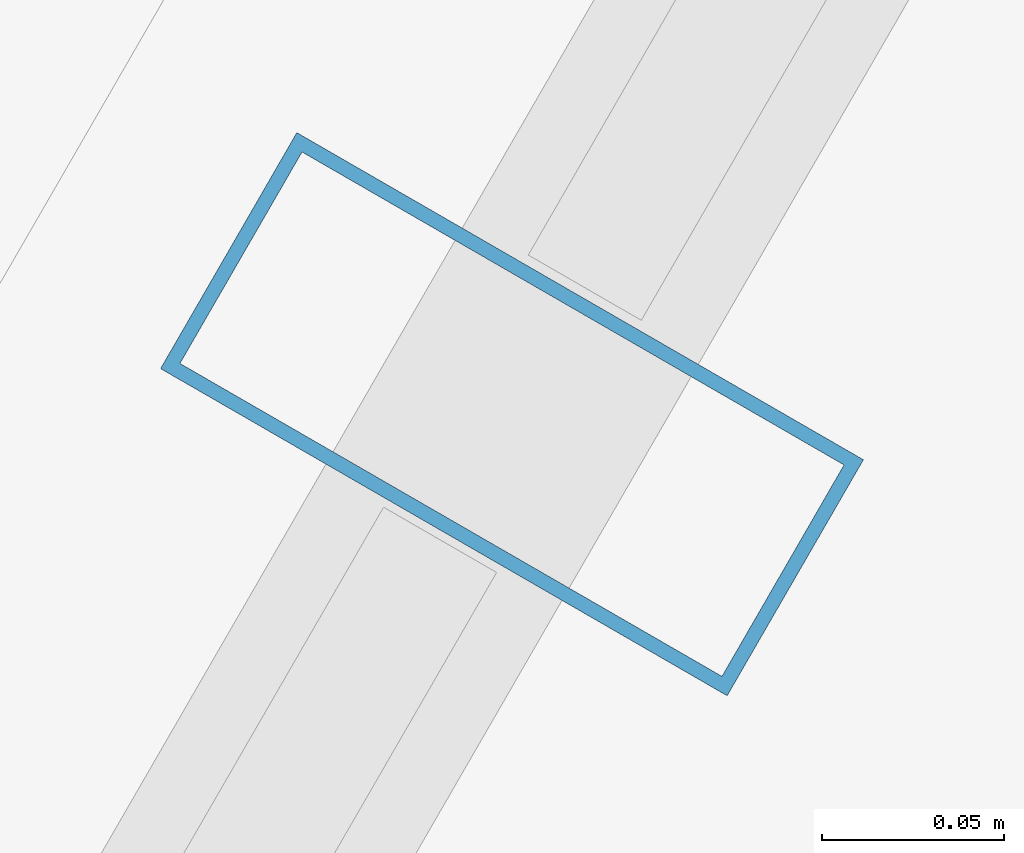
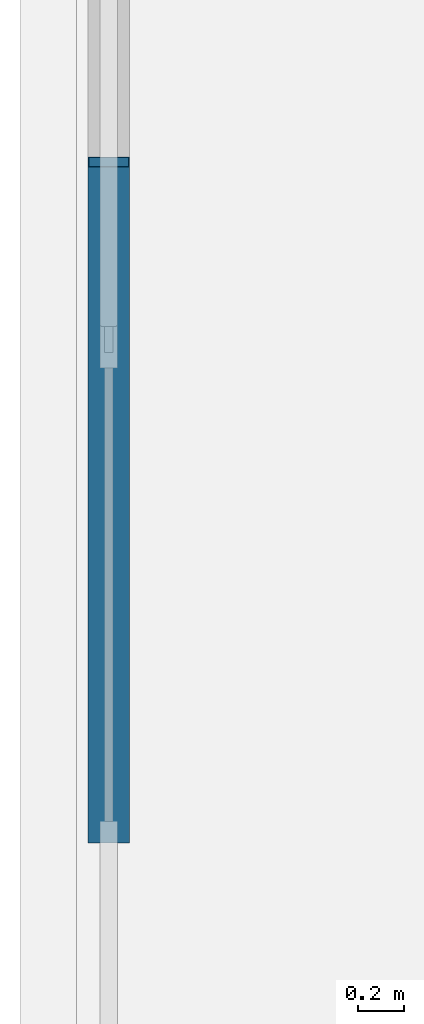
# One storey, part 13 of 33: 1 member, 1 element without a shape of its own.
"""IFC4 building model written with IfcOpenShell, lengths in metres."""

from ifc_helpers import new_model, si_unit, direction, frame, origin, origin_2d, place, context, subcontext, project, spatial, hollow_rectangle, extrude, material, layer, layer_set, material_profile, profile_set, type_object, element, aggregate, save


model = new_model("IFC4")

# Units and contexts
model_context = context("Model", 3, precision=1e-05, world=origin(), true_north=direction((0.0, 1.0)))
body_context = subcontext(model_context, "Body", "Model", "MODEL_VIEW")
ifc_project = project(units=[si_unit("LENGTHUNIT", "METRE"), si_unit("AREAUNIT", "SQUARE_METRE"), si_unit("VOLUMEUNIT", "CUBIC_METRE"), si_unit("PLANEANGLEUNIT", "RADIAN"), si_unit("MASSUNIT", "GRAM", prefix="KILO")], contexts=[model_context])

# Site, building, storey
site_placement = place(None, origin())
site = spatial("IfcSite", under=ifc_project, at=site_placement, CompositionType="ELEMENT")
building_placement = place(site_placement, origin())
building = spatial("IfcBuilding", under=site, at=building_placement, Name="Ndaravel Arena Tower", CompositionType="ELEMENT")
storey_placement = place(building_placement, frame((0.0, 0.0, 161.199951171875)))
storey = spatial("IfcBuildingStorey", under=building, at=storey_placement, Name="L38", CompositionType="ELEMENT", Elevation=161.199951171875)

# Curtain wall, member
ifc_material_1 = material(Name="Aluminium", Category="aluminium")
ifc_layer = layer(ifc_material_1, 0.179931640625)
ifc_layer_set = layer_set([ifc_layer], Name="Aluminium")
curtain_wall_type = type_object("IfcCurtainWallType", Name="CW-SYS-03", PredefinedType="NOTDEFINED", material=ifc_layer_set)
curtain_wall_placement = place(storey_placement, origin())
curtain_wall = element("IfcCurtainWall", 1, at=curtain_wall_placement, inside=storey, type_object=curtain_wall_type, Name="L38 Faceted Crystal Curtain Wall CW-L38-E05", PredefinedType="NOTDEFINED")
ifc_material_2 = material(Name="Aluminium", Category="aluminium")
ifc_material_profile = material_profile(ifc_material_2, hollow_rectangle(XDim=0.074951171875, YDim=0.179931640625, WallThickness=0.00390625, at=origin_2d()), Name="CW MULLION 75x180x4")
ifc_profile_set = profile_set([ifc_material_profile], Name="Aluminium")
member_type = type_object("IfcMemberType", Name="MEM-CW-MUL180", PredefinedType="MULLION", material=ifc_profile_set)
member_placement = place(storey_placement, frame((29.798583984375, 34.256591796875, 0.0), z_axis=(0.0, 0.0, 1.0), x_axis=(-0.5, -0.866025403784, 0.0)))
member = element("IfcMember", 2, at=member_placement, type_object=member_type, Name="CW-L38-E05 Mullion 03", PredefinedType="MULLION", context=body_context, shape_type="SweptSolid", body=[
    extrude(hollow_rectangle(XDim=0.074951171875, YDim=0.179931640625, WallThickness=0.00390625, at=origin_2d()), origin(), (0.0, 0.0, 1.0), 3.580078125),
])
aggregate(curtain_wall, [member])

save(model, "model.ifc")
